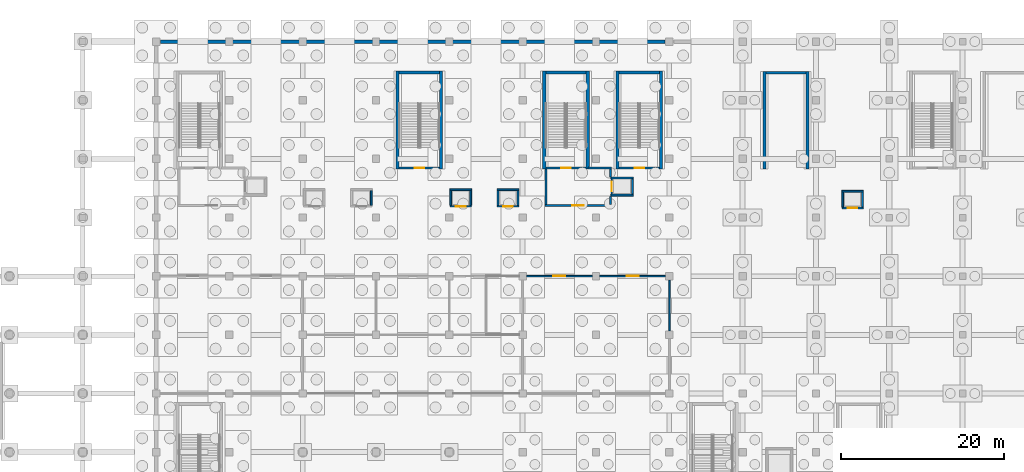
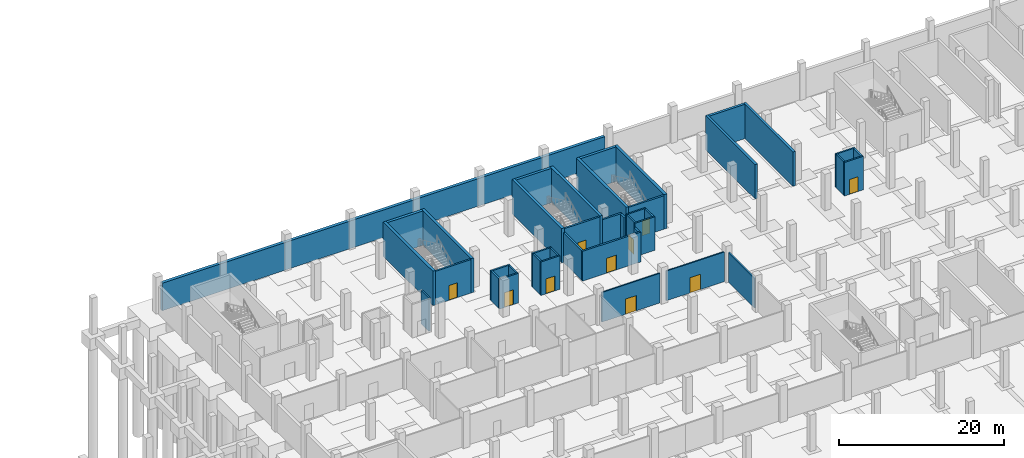
# One storey, part 26 of 39: 41 walls, 10 doors, 10 openings.
"""IFC4 building model written with IfcOpenShell, lengths in metres."""

from ifc_helpers import new_model, si_unit, direction, frame, frame_2d, origin, place, context, subcontext, project, spatial, rectangle, extrude, material, layer, layer_set, type_object, element, fill, save


model = new_model("IFC4")

# Units and contexts
model_context = context("Model", 3, precision=1e-05, world=origin(), true_north=direction((0.0, 1.0)))
body_context = subcontext(model_context, "Body", "Model", "MODEL_VIEW")
ifc_project = project(units=[si_unit("LENGTHUNIT", "METRE"), si_unit("AREAUNIT", "SQUARE_METRE"), si_unit("VOLUMEUNIT", "CUBIC_METRE"), si_unit("PLANEANGLEUNIT", "RADIAN"), si_unit("MASSUNIT", "GRAM", prefix="KILO")], contexts=[model_context])

# Site, building, storey
site_placement = place(None, origin())
site = spatial("IfcSite", under=ifc_project, at=site_placement, CompositionType="ELEMENT")
building_placement = place(site_placement, origin())
building = spatial("IfcBuilding", under=site, at=building_placement, Name="Celestram Park Convention Centre", CompositionType="ELEMENT")
storey_placement = place(building_placement, frame((0.0, 0.0, -5.39990234375)))
storey = spatial("IfcBuildingStorey", under=building, at=storey_placement, Name="B1", CompositionType="ELEMENT", Elevation=-5.39990234375)

# Wall, opening, door
ifc_material_1 = material(Name="Concrete Block Masonry C25/30", Category="masonry")
ifc_layer_1 = layer(ifc_material_1, 0.25)
ifc_layer_set_1 = layer_set([ifc_layer_1], Name="Concrete Block Masonry C25/30")
wall_type_1 = type_object("IfcWallType", Name="ARC-WL-COR250", PredefinedType="STANDARD", material=ifc_layer_set_1)
wall_1_placement = place(storey_placement, frame((83.840087890625, 150.074951171875, 0.0), z_axis=(0.0, 0.0, 1.0), x_axis=(1.0, 0.0, 0.0)))
wall_1 = element("IfcWall", 1, at=wall_1_placement, inside=storey, type_object=wall_type_1, Name="Core C2 stair entrance wall", PredefinedType="STANDARD", context=body_context, shape_type="SweptSolid", body=[
    extrude(rectangle(XDim=4.9599609375, YDim=0.25, at=frame_2d((2.47998046875, 0.0))), origin(), (0.0, 0.0, 1.0), 4.949951171875),
])
opening_1_placement = place(wall_1_placement, frame((1.905029296875, 0.0, 0.0)))
opening_1 = element("IfcOpeningElement", 2, at=opening_1_placement, cuts=wall_1, Name="Opening D-ST1", PredefinedType="OPENING", context=body_context, shape_type="SweptSolid", body=[
    extrude(rectangle(XDim=1.14990234375, YDim=2.199951171875, at=frame_2d((0.574951171875, 1.10009765625))), frame((0.0, 0.135009765625, 0.0), z_axis=(0.0, -1.0, 0.0), x_axis=(1.0, 0.0, 0.0)), (0.0, 0.0, 1.0), 0.27001953125),
])
ifc_material_2 = material(Name="Fire-Rated Hollow Metal Steel ASTM A653", Category="steel")
door_type_1 = type_object("IfcDoorType", Name="ARC-DR-ST115", OperationType="NOTDEFINED", PredefinedType="DOOR", material=ifc_material_2)
door_1_placement = place(opening_1_placement, origin())
door_1 = element("IfcDoor", 3, at=door_1_placement, inside=storey, type_object=door_type_1, Name="Exit stair ST-02 fire door", OperationType="SINGLE_SWING_RIGHT", OverallHeight=2.199951171875, OverallWidth=1.14990234375, PredefinedType="DOOR", context=body_context, shape_type="SweptSolid", body=[
    extrude(rectangle(XDim=1.14990234375, YDim=2.199951171875, at=frame_2d((0.574951171875, 1.10009765625))), frame((0.0, 0.02490234375, 0.0), z_axis=(0.0, -1.0, 0.0), x_axis=(1.0, 0.0, 0.0)), (0.0, 0.0, 1.0), 0.050048828125),
])
fill(opening_1, door_1)

wall_2_placement = place(storey_placement, frame((65.840087890625, 150.074951171875, 0.0), z_axis=(0.0, 0.0, 1.0), x_axis=(1.0, 0.0, 0.0)))
wall_2 = element("IfcWall", 4, at=wall_2_placement, inside=storey, type_object=wall_type_1, Name="Core S14 stair entrance wall", PredefinedType="STANDARD", context=body_context, shape_type="SweptSolid", body=[
    extrude(rectangle(XDim=4.9599609375, YDim=0.25, at=frame_2d((2.47998046875, 0.0))), origin(), (0.0, 0.0, 1.0), 4.949951171875),
])
opening_2_placement = place(wall_2_placement, frame((1.905029296875, 0.0, 0.0)))
opening_2 = element("IfcOpeningElement", 5, at=opening_2_placement, cuts=wall_2, Name="Opening D-ST1", PredefinedType="OPENING", context=body_context, shape_type="SweptSolid", body=[
    extrude(rectangle(XDim=1.14990234375, YDim=2.199951171875, at=frame_2d((0.574951171875, 1.10009765625))), frame((0.0, 0.135009765625, 0.0), z_axis=(0.0, -1.0, 0.0), x_axis=(1.0, 0.0, 0.0)), (0.0, 0.0, 1.0), 0.27001953125),
])
door_2_placement = place(opening_2_placement, origin())
door_2 = element("IfcDoor", 6, at=door_2_placement, inside=storey, type_object=door_type_1, Name="Exit stair ST-14 fire door", OperationType="SINGLE_SWING_RIGHT", OverallHeight=2.199951171875, OverallWidth=1.14990234375, PredefinedType="DOOR", context=body_context, shape_type="SweptSolid", body=[
    extrude(rectangle(XDim=1.14990234375, YDim=2.199951171875, at=frame_2d((0.574951171875, 1.10009765625))), frame((0.0, 0.02490234375, 0.0), z_axis=(0.0, -1.0, 0.0), x_axis=(1.0, 0.0, 0.0)), (0.0, 0.0, 1.0), 0.050048828125),
])
fill(opening_2, door_2)

wall_3_placement = place(storey_placement, frame((92.840087890625, 150.074951171875, 0.0), z_axis=(0.0, 0.0, 1.0), x_axis=(1.0, 0.0, 0.0)))
wall_3 = element("IfcWall", 7, at=wall_3_placement, inside=storey, type_object=wall_type_1, Name="Core S19 stair entrance wall", PredefinedType="STANDARD", context=body_context, shape_type="SweptSolid", body=[
    extrude(rectangle(XDim=4.9599609375, YDim=0.25, at=frame_2d((2.47998046875, 0.0))), origin(), (0.0, 0.0, 1.0), 4.949951171875),
])
opening_3_placement = place(wall_3_placement, frame((1.905029296875, 0.0, 0.0)))
opening_3 = element("IfcOpeningElement", 8, at=opening_3_placement, cuts=wall_3, Name="Opening D-ST1", PredefinedType="OPENING", context=body_context, shape_type="SweptSolid", body=[
    extrude(rectangle(XDim=1.14990234375, YDim=2.199951171875, at=frame_2d((0.574951171875, 1.10009765625))), frame((0.0, 0.135009765625, 0.0), z_axis=(0.0, -1.0, 0.0), x_axis=(1.0, 0.0, 0.0)), (0.0, 0.0, 1.0), 0.27001953125),
])
door_3_placement = place(opening_3_placement, origin())
door_3 = element("IfcDoor", 9, at=door_3_placement, inside=storey, type_object=door_type_1, Name="Exit stair ST-19 fire door", OperationType="SINGLE_SWING_LEFT", OverallHeight=2.199951171875, OverallWidth=1.14990234375, PredefinedType="DOOR", context=body_context, shape_type="SweptSolid", body=[
    extrude(rectangle(XDim=1.14990234375, YDim=2.199951171875, at=frame_2d((0.574951171875, 1.10009765625))), frame((0.0, 0.02490234375, 0.0), z_axis=(0.0, -1.0, 0.0), x_axis=(1.0, 0.0, 0.0)), (0.0, 0.0, 1.0), 0.050048828125),
])
fill(opening_3, door_3)

# Wall
wall_4_placement = place(storey_placement, frame((83.840087890625, 149.93994140625, 0.0), z_axis=(0.0, 0.0, 1.0), x_axis=(0.0, -1.0, 0.0)))
element("IfcWall", 10, at=wall_4_placement, inside=storey, type_object=wall_type_1, Name="Firefighting Lift Lobby C2 W wall", PredefinedType="STANDARD", context=body_context, shape_type="SweptSolid", body=[
    extrude(rectangle(XDim=4.31494140625, YDim=0.25, at=frame_2d((2.157470703125, 0.0))), origin(), (0.0, 0.0, 1.0), 4.39697265625),
])

# Wall, opening, door
wall_5_placement = place(storey_placement, frame((83.715087890625, 145.5, 0.0), z_axis=(0.0, 0.0, 1.0), x_axis=(1.0, 0.0, 0.0)))
wall_5 = element("IfcWall", 11, at=wall_5_placement, inside=storey, type_object=wall_type_1, Name="Firefighting Lift Lobby C2 S wall", PredefinedType="STANDARD", context=body_context, shape_type="SweptSolid", body=[
    extrude(rectangle(XDim=8.18994140625, YDim=0.25, at=frame_2d((4.094970703125, 0.0))), origin(), (0.0, 0.0, 1.0), 4.39697265625),
])
opening_4_placement = place(wall_5_placement, frame((3.39501953125, 0.0, 0.0)))
opening_4 = element("IfcOpeningElement", 12, at=opening_4_placement, cuts=wall_5, Name="Opening D-LB1", PredefinedType="OPENING", context=body_context, shape_type="SweptSolid", body=[
    extrude(rectangle(XDim=1.39990234375, YDim=2.199951171875, at=frame_2d((0.699951171875, 1.10009765625))), frame((0.0, 0.135009765625, 0.0), z_axis=(0.0, -1.0, 0.0), x_axis=(1.0, 0.0, 0.0)), (0.0, 0.0, 1.0), 0.27001953125),
])
ifc_material_3 = material(Name="Fire-Rated Glazed Steel Frame", Category="steel")
door_type_2 = type_object("IfcDoorType", Name="ARC-DR-LB140", OperationType="NOTDEFINED", PredefinedType="DOOR", material=ifc_material_3)
door_4_placement = place(opening_4_placement, origin())
door_4 = element("IfcDoor", 13, at=door_4_placement, inside=storey, type_object=door_type_2, Name="Firefighting Lift Lobby C2 fire door", OperationType="SINGLE_SWING_LEFT", OverallHeight=2.199951171875, OverallWidth=1.39990234375, PredefinedType="DOOR", context=body_context, shape_type="SweptSolid", body=[
    extrude(rectangle(XDim=1.39990234375, YDim=2.199951171875, at=frame_2d((0.699951171875, 1.10009765625))), frame((0.0, 0.02490234375, 0.0), z_axis=(0.0, -1.0, 0.0), x_axis=(1.0, 0.0, 0.0)), (0.0, 0.0, 1.0), 0.050048828125),
])
fill(opening_4, door_4)

# Walls
wall_6_placement = place(storey_placement, frame((91.780029296875, 145.625, 0.0), z_axis=(0.0, 0.0, 1.0), x_axis=(0.0, 1.0, 0.0)))
element("IfcWall", 14, at=wall_6_placement, inside=storey, type_object=wall_type_1, Name="Firefighting Lift Lobby C2 ES wall", PredefinedType="STANDARD", context=body_context, shape_type="SweptSolid", body=[
    extrude(rectangle(XDim=0.97509765625, YDim=0.25, at=frame_2d((0.487548828125, 0.0))), origin(), (0.0, 0.0, 1.0), 4.39697265625),
])
wall_7_placement = place(storey_placement, frame((91.780029296875, 149.0, 0.0), z_axis=(0.0, 0.0, 1.0), x_axis=(0.0, 1.0, 0.0)))
element("IfcWall", 15, at=wall_7_placement, inside=storey, type_object=wall_type_1, Name="Firefighting Lift Lobby C2 EN wall", PredefinedType="STANDARD", context=body_context, shape_type="SweptSolid", body=[
    extrude(rectangle(XDim=0.949951171875, YDim=0.25, at=frame_2d((0.47509765625, 0.0))), origin(), (0.0, 0.0, 1.0), 4.39697265625),
])
wall_8_placement = place(storey_placement, frame((89.0, 150.074951171875, 0.0), z_axis=(0.0, 0.0, 1.0), x_axis=(1.0, 0.0, 0.0)))
element("IfcWall", 16, at=wall_8_placement, inside=storey, type_object=wall_type_1, Name="Firefighting Lift Lobby C2 N wall", PredefinedType="STANDARD", context=body_context, shape_type="SweptSolid", body=[
    extrude(rectangle(XDim=2.905029296875, YDim=0.25, at=frame_2d((1.45263671875, 0.0))), origin(), (0.0, 0.0, 1.0), 4.39697265625),
])

# Wall, opening, door
ifc_material_4 = material(Name="Fire-Rated Gypsum & Steel Stud 180 mm", Category="steel")
ifc_layer_2 = layer(ifc_material_4, 0.179931640625)
ifc_layer_set_2 = layer_set([ifc_layer_2], Name="Fire-Rated Gypsum & Steel Stud 180 mm")
wall_type_2 = type_object("IfcWallType", Name="ARC-WL-PRT180", PredefinedType="PARTITIONING", material=ifc_layer_set_2)
wall_9_placement = place(storey_placement, frame((81.447998046875, 136.800048828125, 0.0), z_axis=(0.0, 0.0, 1.0), x_axis=(1.0, 0.0, 0.0)))
wall_9 = element("IfcWall", 17, at=wall_9_placement, inside=storey, type_object=wall_type_2, Name="Interior partition WL-B1-IN0494", PredefinedType="PARTITIONING", context=body_context, shape_type="SweptSolid", body=[
    extrude(rectangle(XDim=8.10400390625, YDim=0.179931640625, at=frame_2d((4.052001953125, 0.0))), origin(), (0.0, 0.0, 1.0), 4.3837890625),
])
opening_5_placement = place(wall_9_placement, frame((3.302001953125, 0.0, 0.0)))
opening_5 = element("IfcOpeningElement", 18, at=opening_5_placement, cuts=wall_9, Name="Opening D-09", PredefinedType="OPENING", context=body_context, shape_type="SweptSolid", body=[
    extrude(rectangle(XDim=1.5, YDim=2.25, at=frame_2d((0.75, 1.125))), frame((0.0, 0.099853515625, 0.0), z_axis=(0.0, -1.0, 0.0), x_axis=(1.0, 0.0, 0.0)), (0.0, 0.0, 1.0), 0.199951171875),
])
ifc_material_5 = material(Name="Galvanised Hollow Metal Plant Double Door", Category="steel")
door_type_3 = type_object("IfcDoorType", Name="ARC-DR-PLT150", OperationType="NOTDEFINED", PredefinedType="DOOR", material=ifc_material_5)
door_5_placement = place(opening_5_placement, origin())
door_5 = element("IfcDoor", 19, at=door_5_placement, inside=storey, type_object=door_type_3, Name="Telecom Plant Room entrance door", OperationType="DOUBLE_DOOR_SINGLE_SWING", OverallHeight=2.25, OverallWidth=1.5, PredefinedType="DOOR", context=body_context, shape_type="SweptSolid", body=[
    extrude(rectangle(XDim=1.5, YDim=2.25, at=frame_2d((0.75, 1.125))), frame((0.0, 0.02490234375, 0.0), z_axis=(0.0, -1.0, 0.0), x_axis=(1.0, 0.0, 0.0)), (0.0, 0.0, 1.0), 0.050048828125),
])
fill(opening_5, door_5)

wall_10_placement = place(storey_placement, frame((90.447998046875, 136.800048828125, 0.0), z_axis=(0.0, 0.0, 1.0), x_axis=(1.0, 0.0, 0.0)))
wall_10 = element("IfcWall", 20, at=wall_10_placement, inside=storey, type_object=wall_type_2, Name="Interior partition WL-B1-IN0495", PredefinedType="PARTITIONING", context=body_context, shape_type="SweptSolid", body=[
    extrude(rectangle(XDim=8.10400390625, YDim=0.179931640625, at=frame_2d((4.052001953125, 0.0))), origin(), (0.0, 0.0, 1.0), 4.3837890625),
])
opening_6_placement = place(wall_10_placement, frame((3.302001953125, 0.0, 0.0)))
opening_6 = element("IfcOpeningElement", 21, at=opening_6_placement, cuts=wall_10, Name="Opening D-09", PredefinedType="OPENING", context=body_context, shape_type="SweptSolid", body=[
    extrude(rectangle(XDim=1.5, YDim=2.25, at=frame_2d((0.75, 1.125))), frame((0.0, 0.099853515625, 0.0), z_axis=(0.0, -1.0, 0.0), x_axis=(1.0, 0.0, 0.0)), (0.0, 0.0, 1.0), 0.199951171875),
])
door_6_placement = place(opening_6_placement, origin())
door_6 = element("IfcDoor", 22, at=door_6_placement, inside=storey, type_object=door_type_3, Name="Telecom Plant Room entrance door", OperationType="DOUBLE_DOOR_SINGLE_SWING", OverallHeight=2.25, OverallWidth=1.5, PredefinedType="DOOR", context=body_context, shape_type="SweptSolid", body=[
    extrude(rectangle(XDim=1.5, YDim=2.25, at=frame_2d((0.75, 1.125))), frame((0.0, 0.02490234375, 0.0), z_axis=(0.0, -1.0, 0.0), x_axis=(1.0, 0.0, 0.0)), (0.0, 0.0, 1.0), 0.050048828125),
])
fill(opening_6, door_6)

# Walls
wall_11_placement = place(storey_placement, frame((99.0, 130.048095703125, 0.0), z_axis=(0.0, 0.0, 1.0), x_axis=(0.0, 1.0, 0.0)))
element("IfcWall", 23, at=wall_11_placement, inside=storey, type_object=wall_type_2, Name="Interior partition WL-B1-IN0521", PredefinedType="PARTITIONING", context=body_context, shape_type="SweptSolid", body=[
    extrude(rectangle(XDim=6.303955078125, YDim=0.179931640625, at=frame_2d((3.15185546875, 0.0))), origin(), (0.0, 0.0, 1.0), 4.39697265625),
])
ifc_layer_3 = layer(ifc_material_1, 0.219970703125)
ifc_layer_set_3 = layer_set([ifc_layer_3], Name="Concrete Block Masonry C25/30")
wall_type_3 = type_object("IfcWallType", Name="ARC-WL-SHF220", PredefinedType="STANDARD", material=ifc_layer_set_3)
wall_12_placement = place(storey_placement, frame((62.419921875, 145.489990234375, 0.0), z_axis=(0.0, 0.0, 1.0), x_axis=(0.0, 1.0, 0.0)))
element("IfcWall", 24, at=wall_12_placement, inside=storey, type_object=wall_type_3, Name="Lift LP-02 shaft wall E", PredefinedType="STANDARD", context=body_context, shape_type="SweptSolid", body=[
    extrude(rectangle(XDim=1.820068359375, YDim=0.219970703125, at=frame_2d((0.91015625, 0.0))), origin(), (0.0, 0.0, 1.0), 4.949951171875),
])
for number, where, z_axis, x_axis, name in (
    (25, (91.820068359375, 146.7548828125, 0.0), (0.0, 0.0, 1.0), (1.0, 0.0, 0.0), "Lift LF-02 shaft wall S"),
    (26, (94.580078125, 148.844970703125, 0.0), (0.0, 0.0, 1.0), (-1.0, 0.0, 0.0), "Lift LF-02 shaft wall N"),
):
    element("IfcWall", number, at=place(storey_placement, frame(where, z_axis=z_axis, x_axis=x_axis)), inside=storey, type_object=wall_type_3, Name=name, PredefinedType="STANDARD", context=body_context, shape_type="SweptSolid", body=[
        extrude(rectangle(XDim=2.760009765625, YDim=0.219970703125, at=frame_2d((1.3798828125, 0.0))), origin(), (0.0, 0.0, 1.0), 4.949951171875),
    ])

# Wall, opening, door
wall_13_placement = place(storey_placement, frame((91.929931640625, 148.735107421875, 0.0), z_axis=(0.0, 0.0, 1.0), x_axis=(0.0, -1.0, 0.0)))
wall_13 = element("IfcWall", 27, at=wall_13_placement, inside=storey, type_object=wall_type_3, Name="Lift LF-02 shaft wall W", PredefinedType="STANDARD", context=body_context, shape_type="SweptSolid", body=[
    extrude(rectangle(XDim=1.8701171875, YDim=0.219970703125, at=frame_2d((0.93505859375, 0.0))), origin(), (0.0, 0.0, 1.0), 4.949951171875),
])
opening_7_placement = place(wall_13_placement, frame((0.3349609375, 0.0, 0.0)))
opening_7 = element("IfcOpeningElement", 28, at=opening_7_placement, cuts=wall_13, Name="Opening LD-01", PredefinedType="OPENING", context=body_context, shape_type="SweptSolid", body=[
    extrude(rectangle(XDim=1.199951171875, YDim=2.199951171875, at=frame_2d((0.60009765625, 1.10009765625))), frame((0.0, 0.119873046875, 0.0), z_axis=(0.0, -1.0, 0.0), x_axis=(1.0, 0.0, 0.0)), (0.0, 0.0, 1.0), 0.239990234375),
])
ifc_material_6 = material(Name="Brushed Stainless Steel AISI 304", Category="steel")
door_type_4 = type_object("IfcDoorType", Name="ARC-DR-LFT120", OperationType="NOTDEFINED", PredefinedType="DOOR", material=ifc_material_6)
door_7_placement = place(opening_7_placement, origin())
door_7 = element("IfcDoor", 29, at=door_7_placement, inside=storey, type_object=door_type_4, Name="Lift LF-02 sliding landing door", OperationType="DOUBLE_DOOR_SLIDING", OverallHeight=2.199951171875, OverallWidth=1.199951171875, PredefinedType="DOOR", context=body_context, shape_type="SweptSolid", body=[
    extrude(rectangle(XDim=1.199951171875, YDim=2.199951171875, at=frame_2d((0.60009765625, 1.10009765625))), frame((0.0, 0.02490234375, 0.0), z_axis=(0.0, -1.0, 0.0), x_axis=(1.0, 0.0, 0.0)), (0.0, 0.0, 1.0), 0.050048828125),
])
fill(opening_7, door_7)

# Wall
wall_14_placement = place(storey_placement, frame((94.469970703125, 146.864990234375, 0.0), z_axis=(0.0, 0.0, 1.0), x_axis=(0.0, 1.0, 0.0)))
element("IfcWall", 30, at=wall_14_placement, inside=storey, type_object=wall_type_3, Name="Lift LF-02 shaft wall E", PredefinedType="STANDARD", context=body_context, shape_type="SweptSolid", body=[
    extrude(rectangle(XDim=1.8701171875, YDim=0.219970703125, at=frame_2d((0.93505859375, 0.0))), origin(), (0.0, 0.0, 1.0), 4.949951171875),
])

# Wall, opening, door
wall_15_placement = place(storey_placement, frame((72.070068359375, 145.3798828125, 0.0), z_axis=(0.0, 0.0, 1.0), x_axis=(1.0, 0.0, 0.0)))
wall_15 = element("IfcWall", 31, at=wall_15_placement, inside=storey, type_object=wall_type_3, Name="Lift LP-03 shaft wall S", PredefinedType="STANDARD", context=body_context, shape_type="SweptSolid", body=[
    extrude(rectangle(XDim=2.659912109375, YDim=0.219970703125, at=frame_2d((1.330078125, 0.0))), origin(), (0.0, 0.0, 1.0), 4.39697265625),
])
opening_8_placement = place(wall_15_placement, frame((0.72998046875, 0.0, 0.0)))
opening_8 = element("IfcOpeningElement", 32, at=opening_8_placement, cuts=wall_15, Name="Opening LD-01", PredefinedType="OPENING", context=body_context, shape_type="SweptSolid", body=[
    extrude(rectangle(XDim=1.199951171875, YDim=2.199951171875, at=frame_2d((0.60009765625, 1.10009765625))), frame((0.0, 0.119873046875, 0.0), z_axis=(0.0, -1.0, 0.0), x_axis=(1.0, 0.0, 0.0)), (0.0, 0.0, 1.0), 0.239990234375),
])
door_8_placement = place(opening_8_placement, origin())
door_8 = element("IfcDoor", 33, at=door_8_placement, inside=storey, type_object=door_type_4, Name="Lift LP-03 sliding landing door", OperationType="DOUBLE_DOOR_SLIDING", OverallHeight=2.199951171875, OverallWidth=1.199951171875, PredefinedType="DOOR", context=body_context, shape_type="SweptSolid", body=[
    extrude(rectangle(XDim=1.199951171875, YDim=2.199951171875, at=frame_2d((0.60009765625, 1.10009765625))), frame((0.0, 0.02490234375, 0.0), z_axis=(0.0, -1.0, 0.0), x_axis=(1.0, 0.0, 0.0)), (0.0, 0.0, 1.0), 0.050048828125),
])
fill(opening_8, door_8)

# Walls
wall_16_placement = place(storey_placement, frame((74.72998046875, 147.419921875, 0.0), z_axis=(0.0, 0.0, 1.0), x_axis=(-1.0, 0.0, 0.0)))
element("IfcWall", 34, at=wall_16_placement, inside=storey, type_object=wall_type_3, Name="Lift LP-03 shaft wall N", PredefinedType="STANDARD", context=body_context, shape_type="SweptSolid", body=[
    extrude(rectangle(XDim=2.659912109375, YDim=0.219970703125, at=frame_2d((1.330078125, 0.0))), origin(), (0.0, 0.0, 1.0), 4.39697265625),
])
for number, where, z_axis, x_axis, name in (
    (35, (72.179931640625, 147.31005859375, 0.0), (0.0, 0.0, 1.0), (0.0, -1.0, 0.0), "Lift LP-03 shaft wall W"),
    (36, (74.6201171875, 145.489990234375, 0.0), (0.0, 0.0, 1.0), (0.0, 1.0, 0.0), "Lift LP-03 shaft wall E"),
):
    element("IfcWall", number, at=place(storey_placement, frame(where, z_axis=z_axis, x_axis=x_axis)), inside=storey, type_object=wall_type_3, Name=name, PredefinedType="STANDARD", context=body_context, shape_type="SweptSolid", body=[
        extrude(rectangle(XDim=1.820068359375, YDim=0.219970703125, at=frame_2d((0.91015625, 0.0))), origin(), (0.0, 0.0, 1.0), 4.39697265625),
    ])

# Wall, opening, door
wall_17_placement = place(storey_placement, frame((77.8701171875, 145.3798828125, 0.0), z_axis=(0.0, 0.0, 1.0), x_axis=(1.0, 0.0, 0.0)))
wall_17 = element("IfcWall", 37, at=wall_17_placement, inside=storey, type_object=wall_type_3, Name="Lift LP-04 shaft wall S", PredefinedType="STANDARD", context=body_context, shape_type="SweptSolid", body=[
    extrude(rectangle(XDim=2.659912109375, YDim=0.219970703125, at=frame_2d((1.330078125, 0.0))), origin(), (0.0, 0.0, 1.0), 4.949951171875),
])
opening_9_placement = place(wall_17_placement, frame((0.72998046875, 0.0, 0.0)))
opening_9 = element("IfcOpeningElement", 38, at=opening_9_placement, cuts=wall_17, Name="Opening LD-01", PredefinedType="OPENING", context=body_context, shape_type="SweptSolid", body=[
    extrude(rectangle(XDim=1.199951171875, YDim=2.199951171875, at=frame_2d((0.60009765625, 1.10009765625))), frame((0.0, 0.119873046875, 0.0), z_axis=(0.0, -1.0, 0.0), x_axis=(1.0, 0.0, 0.0)), (0.0, 0.0, 1.0), 0.239990234375),
])
door_9_placement = place(opening_9_placement, origin())
door_9 = element("IfcDoor", 39, at=door_9_placement, inside=storey, type_object=door_type_4, Name="Lift LP-04 sliding landing door", OperationType="DOUBLE_DOOR_SLIDING", OverallHeight=2.199951171875, OverallWidth=1.199951171875, PredefinedType="DOOR", context=body_context, shape_type="SweptSolid", body=[
    extrude(rectangle(XDim=1.199951171875, YDim=2.199951171875, at=frame_2d((0.60009765625, 1.10009765625))), frame((0.0, 0.02490234375, 0.0), z_axis=(0.0, -1.0, 0.0), x_axis=(1.0, 0.0, 0.0)), (0.0, 0.0, 1.0), 0.050048828125),
])
fill(opening_9, door_9)

# Walls
wall_18_placement = place(storey_placement, frame((80.530029296875, 147.419921875, 0.0), z_axis=(0.0, 0.0, 1.0), x_axis=(-1.0, 0.0, 0.0)))
element("IfcWall", 40, at=wall_18_placement, inside=storey, type_object=wall_type_3, Name="Lift LP-04 shaft wall N", PredefinedType="STANDARD", context=body_context, shape_type="SweptSolid", body=[
    extrude(rectangle(XDim=2.659912109375, YDim=0.219970703125, at=frame_2d((1.330078125, 0.0))), origin(), (0.0, 0.0, 1.0), 4.949951171875),
])
for number, where, z_axis, x_axis, name in (
    (41, (77.97998046875, 147.31005859375, 0.0), (0.0, 0.0, 1.0), (0.0, -1.0, 0.0), "Lift LP-04 shaft wall W"),
    (42, (80.419921875, 145.489990234375, 0.0), (0.0, 0.0, 1.0), (0.0, 1.0, 0.0), "Lift LP-04 shaft wall E"),
):
    element("IfcWall", number, at=place(storey_placement, frame(where, z_axis=z_axis, x_axis=x_axis)), inside=storey, type_object=wall_type_3, Name=name, PredefinedType="STANDARD", context=body_context, shape_type="SweptSolid", body=[
        extrude(rectangle(XDim=1.820068359375, YDim=0.219970703125, at=frame_2d((0.91015625, 0.0))), origin(), (0.0, 0.0, 1.0), 4.949951171875),
    ])

# Wall, opening, door
wall_19_placement = place(storey_placement, frame((120.169921875, 145.179931640625, 0.0), z_axis=(0.0, 0.0, 1.0), x_axis=(1.0, 0.0, 0.0)))
wall_19 = element("IfcWall", 43, at=wall_19_placement, inside=storey, type_object=wall_type_3, Name="Lift LP-06 shaft wall S", PredefinedType="STANDARD", context=body_context, shape_type="SweptSolid", body=[
    extrude(rectangle(XDim=2.66015625, YDim=0.219970703125, at=frame_2d((1.330078125, 0.0))), origin(), (0.0, 0.0, 1.0), 4.949951171875),
])
opening_10_placement = place(wall_19_placement, frame((0.72998046875, 0.0, 0.0)))
opening_10 = element("IfcOpeningElement", 44, at=opening_10_placement, cuts=wall_19, Name="Opening LD-01", PredefinedType="OPENING", context=body_context, shape_type="SweptSolid", body=[
    extrude(rectangle(XDim=1.199951171875, YDim=2.199951171875, at=frame_2d((0.60009765625, 1.10009765625))), frame((0.0, 0.119873046875, 0.0), z_axis=(0.0, -1.0, 0.0), x_axis=(1.0, 0.0, 0.0)), (0.0, 0.0, 1.0), 0.239990234375),
])
door_10_placement = place(opening_10_placement, origin())
door_10 = element("IfcDoor", 45, at=door_10_placement, inside=storey, type_object=door_type_4, Name="Lift LP-06 sliding landing door", OperationType="DOUBLE_DOOR_SLIDING", OverallHeight=2.199951171875, OverallWidth=1.199951171875, PredefinedType="DOOR", context=body_context, shape_type="SweptSolid", body=[
    extrude(rectangle(XDim=1.199951171875, YDim=2.199951171875, at=frame_2d((0.60009765625, 1.10009765625))), frame((0.0, 0.02490234375, 0.0), z_axis=(0.0, -1.0, 0.0), x_axis=(1.0, 0.0, 0.0)), (0.0, 0.0, 1.0), 0.050048828125),
])
fill(opening_10, door_10)

# Walls
wall_20_placement = place(storey_placement, frame((122.830078125, 147.219970703125, 0.0), z_axis=(0.0, 0.0, 1.0), x_axis=(-1.0, 0.0, 0.0)))
element("IfcWall", 46, at=wall_20_placement, inside=storey, type_object=wall_type_3, Name="Lift LP-06 shaft wall N", PredefinedType="STANDARD", context=body_context, shape_type="SweptSolid", body=[
    extrude(rectangle(XDim=2.66015625, YDim=0.219970703125, at=frame_2d((1.330078125, 0.0))), origin(), (0.0, 0.0, 1.0), 4.949951171875),
])
for number, where, z_axis, x_axis, name in (
    (47, (120.280029296875, 147.110107421875, 0.0), (0.0, 0.0, 1.0), (0.0, -1.0, 0.0), "Lift LP-06 shaft wall W"),
    (48, (122.719970703125, 145.2900390625, 0.0), (0.0, 0.0, 1.0), (0.0, 1.0, 0.0), "Lift LP-06 shaft wall E"),
):
    element("IfcWall", number, at=place(storey_placement, frame(where, z_axis=z_axis, x_axis=x_axis)), inside=storey, type_object=wall_type_3, Name=name, PredefinedType="STANDARD", context=body_context, shape_type="SweptSolid", body=[
        extrude(rectangle(XDim=1.820068359375, YDim=0.219970703125, at=frame_2d((0.91015625, 0.0))), origin(), (0.0, 0.0, 1.0), 4.949951171875),
    ])
ifc_material_7 = material(Name="Concrete C40/50", Category="concrete")
ifc_layer_4 = layer(ifc_material_7, 0.419921875)
ifc_layer_set_4 = layer_set([ifc_layer_4], Name="Concrete C40/50")
wall_type_4 = type_object("IfcWallType", Name="STR-WL-RET420", PredefinedType="USERDEFINED", material=ifc_layer_set_4)
wall_21_placement = place(storey_placement, frame((36.550048828125, 165.60009765625, 0.0), z_axis=(0.0, 0.0, 1.0), x_axis=(1.0, 0.0, 0.0)))
element("IfcWall", 49, at=wall_21_placement, inside=storey, type_object=wall_type_4, Name="Basement retaining wall WL-B1-RET05", ObjectType="RETAININGWALL", PredefinedType="USERDEFINED", context=body_context, shape_type="SweptSolid", body=[
    extrude(rectangle(XDim=61.89990234375, YDim=0.419921875, at=frame_2d((30.949951171875, 0.0))), origin(), (0.0, 0.0, 1.0), 4.079833984375),
])
ifc_layer_5 = layer(ifc_material_7, 0.340087890625)
ifc_layer_set_5 = layer_set([ifc_layer_5], Name="Concrete C40/50")
wall_type_5 = type_object("IfcWallType", Name="STR-WL-SHR340", PredefinedType="SHEAR", material=ifc_layer_set_5)
for number, where, z_axis, x_axis, name in (
    (50, (110.669921875, 149.949951171875, 0.0), (0.0, 0.0, 1.0), (0.0, 1.0, 0.0), "Core S16 shear wall L"),
    (51, (115.969970703125, 161.93994140625, 0.0), (0.0, 0.0, 1.0), (0.0, -1.0, 0.0), "Core S16 shear wall R"),
):
    element("IfcWall", number, at=place(storey_placement, frame(where, z_axis=z_axis, x_axis=x_axis)), inside=storey, type_object=wall_type_5, Name=name, PredefinedType="SHEAR", context=body_context, shape_type="SweptSolid", body=[
        extrude(rectangle(XDim=11.989990234375, YDim=0.340087890625, at=frame_2d((5.9951171875, 0.0))), origin(), (0.0, 0.0, 1.0), 5.079833984375),
    ])
wall_22_placement = place(storey_placement, frame((110.840087890625, 161.77001953125, 0.0), z_axis=(0.0, 0.0, 1.0), x_axis=(1.0, 0.0, 0.0)))
element("IfcWall", 52, at=wall_22_placement, inside=storey, type_object=wall_type_5, Name="Core S16 shear wall F", PredefinedType="SHEAR", context=body_context, shape_type="SweptSolid", body=[
    extrude(rectangle(XDim=4.9599609375, YDim=0.340087890625, at=frame_2d((2.47998046875, 0.0))), origin(), (0.0, 0.0, 1.0), 5.079833984375),
])
ifc_layer_6 = layer(ifc_material_7, 0.3798828125)
ifc_layer_set_6 = layer_set([ifc_layer_6], Name="Concrete C40/50")
wall_type_6 = type_object("IfcWallType", Name="STR-WL-SHR380", PredefinedType="SHEAR", material=ifc_layer_set_6)
for number, where, z_axis, x_axis, name in (
    (53, (83.64990234375, 149.949951171875, 0.0), (0.0, 0.0, 1.0), (0.0, 1.0, 0.0), "Core C2 shear wall L"),
    (54, (88.989990234375, 161.97998046875, 0.0), (0.0, 0.0, 1.0), (0.0, -1.0, 0.0), "Core C2 shear wall R"),
):
    element("IfcWall", number, at=place(storey_placement, frame(where, z_axis=z_axis, x_axis=x_axis)), inside=storey, type_object=wall_type_6, Name=name, PredefinedType="SHEAR", context=body_context, shape_type="SweptSolid", body=[
        extrude(rectangle(XDim=12.030029296875, YDim=0.3798828125, at=frame_2d((6.01513671875, 0.0))), origin(), (0.0, 0.0, 1.0), 5.079833984375),
    ])
wall_23_placement = place(storey_placement, frame((83.840087890625, 161.7900390625, 0.0), z_axis=(0.0, 0.0, 1.0), x_axis=(1.0, 0.0, 0.0)))
element("IfcWall", 55, at=wall_23_placement, inside=storey, type_object=wall_type_6, Name="Core C2 shear wall F", PredefinedType="SHEAR", context=body_context, shape_type="SweptSolid", body=[
    extrude(rectangle(XDim=4.9599609375, YDim=0.3798828125, at=frame_2d((2.47998046875, 0.0))), origin(), (0.0, 0.0, 1.0), 5.079833984375),
])
for number, where, z_axis, x_axis, name in (
    (56, (65.64990234375, 149.949951171875, 0.0), (0.0, 0.0, 1.0), (0.0, 1.0, 0.0), "Core S14 shear wall L"),
    (57, (70.989990234375, 161.97998046875, 0.0), (0.0, 0.0, 1.0), (0.0, -1.0, 0.0), "Core S14 shear wall R"),
):
    element("IfcWall", number, at=place(storey_placement, frame(where, z_axis=z_axis, x_axis=x_axis)), inside=storey, type_object=wall_type_6, Name=name, PredefinedType="SHEAR", context=body_context, shape_type="SweptSolid", body=[
        extrude(rectangle(XDim=12.030029296875, YDim=0.3798828125, at=frame_2d((6.01513671875, 0.0))), origin(), (0.0, 0.0, 1.0), 5.079833984375),
    ])
wall_24_placement = place(storey_placement, frame((65.840087890625, 161.7900390625, 0.0), z_axis=(0.0, 0.0, 1.0), x_axis=(1.0, 0.0, 0.0)))
element("IfcWall", 58, at=wall_24_placement, inside=storey, type_object=wall_type_6, Name="Core S14 shear wall F", PredefinedType="SHEAR", context=body_context, shape_type="SweptSolid", body=[
    extrude(rectangle(XDim=4.9599609375, YDim=0.3798828125, at=frame_2d((2.47998046875, 0.0))), origin(), (0.0, 0.0, 1.0), 5.079833984375),
])
for number, where, z_axis, x_axis, name in (
    (59, (92.64990234375, 149.949951171875, 0.0), (0.0, 0.0, 1.0), (0.0, 1.0, 0.0), "Core S19 shear wall L"),
    (60, (97.989990234375, 161.97998046875, 0.0), (0.0, 0.0, 1.0), (0.0, -1.0, 0.0), "Core S19 shear wall R"),
):
    element("IfcWall", number, at=place(storey_placement, frame(where, z_axis=z_axis, x_axis=x_axis)), inside=storey, type_object=wall_type_6, Name=name, PredefinedType="SHEAR", context=body_context, shape_type="SweptSolid", body=[
        extrude(rectangle(XDim=12.030029296875, YDim=0.3798828125, at=frame_2d((6.01513671875, 0.0))), origin(), (0.0, 0.0, 1.0), 5.079833984375),
    ])
wall_25_placement = place(storey_placement, frame((92.840087890625, 161.7900390625, 0.0), z_axis=(0.0, 0.0, 1.0), x_axis=(1.0, 0.0, 0.0)))
element("IfcWall", 61, at=wall_25_placement, inside=storey, type_object=wall_type_6, Name="Core S19 shear wall F", PredefinedType="SHEAR", context=body_context, shape_type="SweptSolid", body=[
    extrude(rectangle(XDim=4.9599609375, YDim=0.3798828125, at=frame_2d((2.47998046875, 0.0))), origin(), (0.0, 0.0, 1.0), 5.079833984375),
])

save(model, "model.ifc")
